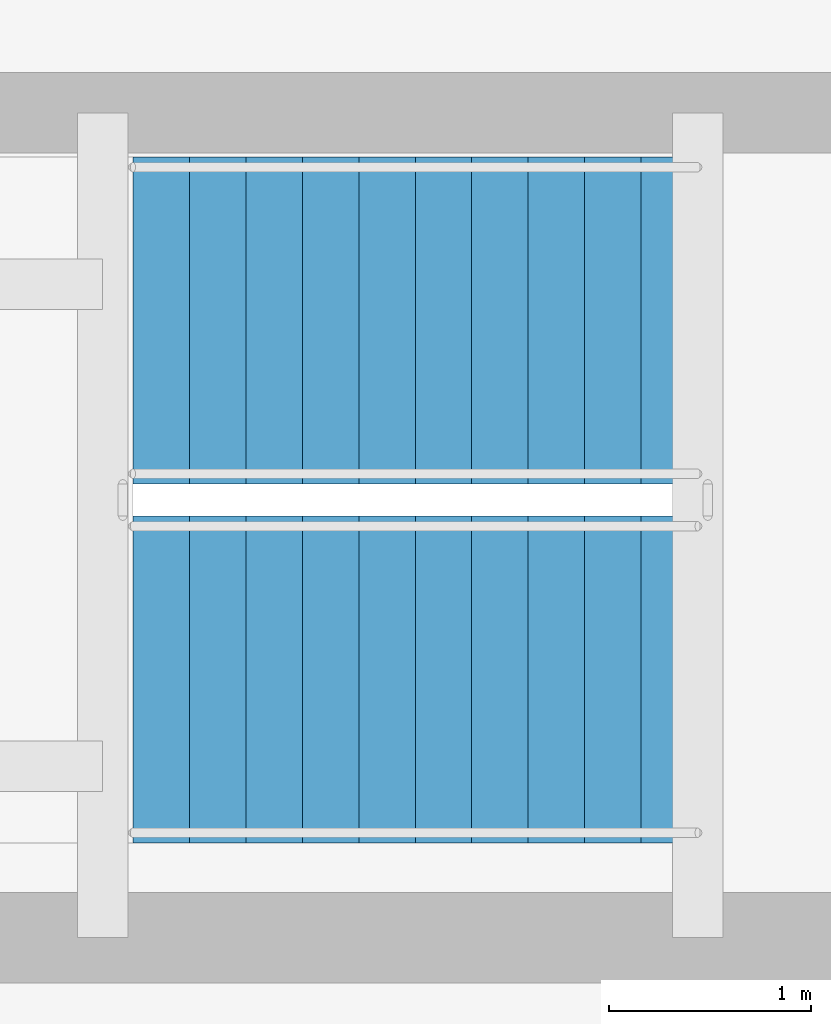
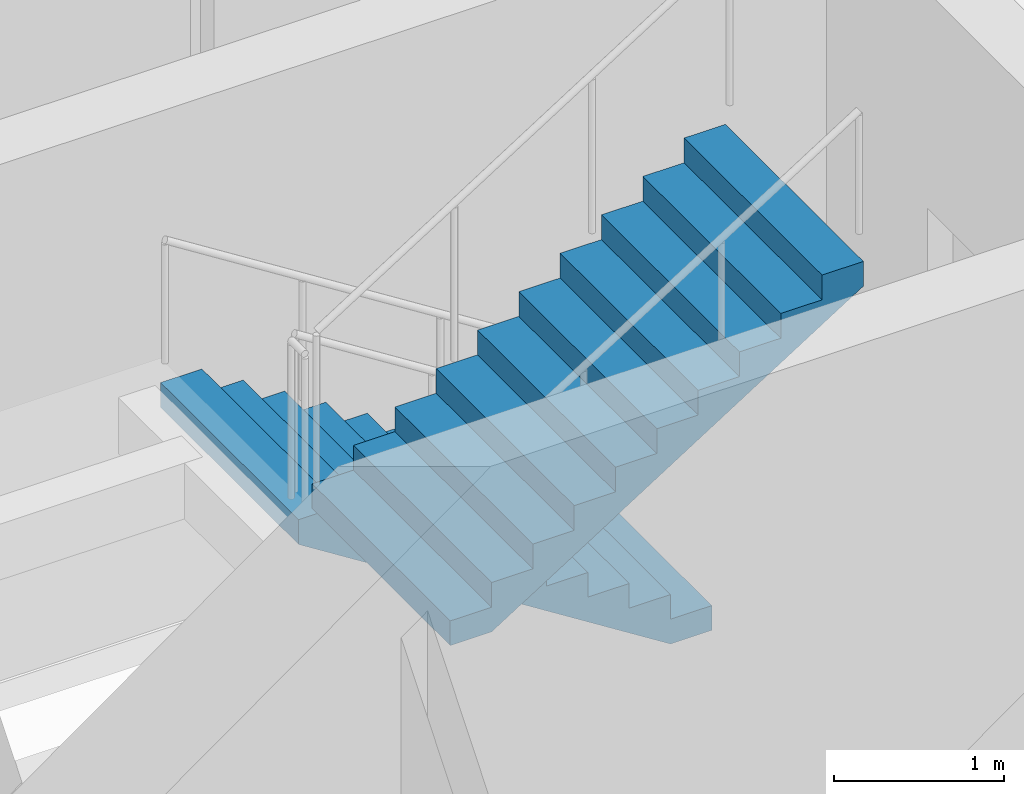
# One storey, part 9 of 13: 2 stair flights, 1 element without a shape of its own.
"""IFC4 building model written with IfcOpenShell, lengths in metres."""

from ifc_helpers import new_model, si_unit, direction, frame, origin, place, context, subcontext, project, spatial, polyline, outline, extrude, material, layer, layer_set, type_object, element, aggregate, save


model = new_model("IFC4")

# Units and contexts
model_context = context("Model", 3, precision=1e-05, world=origin(), true_north=direction((0.0, 1.0)))
body_context = subcontext(model_context, "Body", "Model", "MODEL_VIEW")
ifc_project = project(units=[si_unit("LENGTHUNIT", "METRE"), si_unit("AREAUNIT", "SQUARE_METRE"), si_unit("VOLUMEUNIT", "CUBIC_METRE"), si_unit("PLANEANGLEUNIT", "RADIAN"), si_unit("MASSUNIT", "GRAM", prefix="KILO")], contexts=[model_context])

# Site, building, storey
site_placement = place(None, origin())
site = spatial("IfcSite", under=ifc_project, at=site_placement, CompositionType="ELEMENT")
building_placement = place(site_placement, origin())
building = spatial("IfcBuilding", under=site, at=building_placement, Name="Qingluan Cross Belvedere", CompositionType="ELEMENT")
storey_placement = place(building_placement, frame((0.0, 0.0, 257.699951171875)))
storey = spatial("IfcBuildingStorey", under=building, at=storey_placement, Name="L64", CompositionType="ELEMENT", Elevation=257.699951171875)

# Stair, stair flights
ifc_material_1 = material(Name="Concrete C40", Category="concrete")
stair_type = type_object("IfcStairType", Name="CoreDoglegStair_1620", PredefinedType="HALF_TURN_STAIR", material=ifc_material_1)
stair_placement = place(storey_placement, origin())
stair = element("IfcStair", 1, at=stair_placement, inside=storey, type_object=stair_type, Name="L64 ST3", PredefinedType="HALF_TURN_STAIR")
ifc_material_2 = material(Name="Concrete C40", Category="concrete")
ifc_layer = layer(ifc_material_2, 0.179931640625, Name="StairFlight_RC180")
ifc_layer_set = layer_set([ifc_layer], Name="Concrete C40")
stair_flight_type = type_object("IfcStairFlightType", Name="StairFlight_RC180", PredefinedType="STRAIGHT", material=ifc_layer_set)
stair_flight_1_placement = place(storey_placement, frame((-6.179931640625, 8.010009765625, 0.0), z_axis=(0.0, 0.0, 1.0), x_axis=(-1.0, 0.0, 0.0)))
stair_flight_1 = element("IfcStairFlight", 2, at=stair_flight_1_placement, type_object=stair_flight_type, Name="ST3 flight 1", NumberOfRisers=11, NumberOfTreads=10, PredefinedType="STRAIGHT", RiserHeight=0.177272727, TreadLength=0.28, context=body_context, shape_type="SweptSolid", body=[
    extrude(outline(polyline([(0.0, 0.0), (0.0, 0.17724609375), (0.280029296875, 0.17724609375), (0.280029296875, 0.3544921875), (0.56005859375, 0.3544921875), (0.56005859375, 0.53173828125), (0.840087890625, 0.53173828125), (0.840087890625, 0.708984375), (1.1201171875, 0.708984375), (1.1201171875, 0.886474609375), (1.39990234375, 0.886474609375), (1.39990234375, 1.063720703125), (1.679931640625, 1.063720703125), (1.679931640625, 1.240966796875), (1.9599609375, 1.240966796875), (1.9599609375, 1.418212890625), (2.239990234375, 1.418212890625), (2.239990234375, 1.595458984375), (2.52001953125, 1.595458984375), (2.52001953125, 1.772705078125), (2.800048828125, 1.772705078125), (2.800048828125, 1.949951171875), (2.800048828125, 1.59521484375), (0.2802734375, 0.0), (0.0, 0.0)])), frame((0.0, 0.81005859375, 0.0), z_axis=(0.0, -1.0, 0.0), x_axis=(1.0, 0.0, 0.0)), (0.0, 0.0, 1.0), 1.6201171875),
])
stair_flight_2_placement = place(storey_placement, frame((-8.97998046875, 6.22998046875, 1.949951171875), z_axis=(0.0, 0.0, 1.0), x_axis=(1.0, 0.0, 0.0)))
stair_flight_2 = element("IfcStairFlight", 3, at=stair_flight_2_placement, type_object=stair_flight_type, Name="ST3 flight 2", NumberOfRisers=11, NumberOfTreads=10, PredefinedType="STRAIGHT", RiserHeight=0.177272727, TreadLength=0.28, context=body_context, shape_type="SweptSolid", body=[
    extrude(outline(polyline([(0.0, 0.0), (0.0, 0.17724609375), (0.280029296875, 0.17724609375), (0.280029296875, 0.3544921875), (0.56005859375, 0.3544921875), (0.56005859375, 0.53173828125), (0.840087890625, 0.53173828125), (0.840087890625, 0.708984375), (1.1201171875, 0.708984375), (1.1201171875, 0.886474609375), (1.39990234375, 0.886474609375), (1.39990234375, 1.063720703125), (1.679931640625, 1.063720703125), (1.679931640625, 1.240966796875), (1.9599609375, 1.240966796875), (1.9599609375, 1.418212890625), (2.239990234375, 1.418212890625), (2.239990234375, 1.595458984375), (2.52001953125, 1.595458984375), (2.52001953125, 1.772705078125), (2.800048828125, 1.772705078125), (2.800048828125, 1.949951171875), (2.800048828125, 1.59521484375), (0.2802734375, 0.0), (0.0, 0.0)])), frame((0.0, 0.81005859375, 0.0), z_axis=(0.0, -1.0, 0.0), x_axis=(1.0, 0.0, 0.0)), (0.0, 0.0, 1.0), 1.6201171875),
])
aggregate(stair, [stair_flight_1, stair_flight_2])

save(model, "model.ifc")
